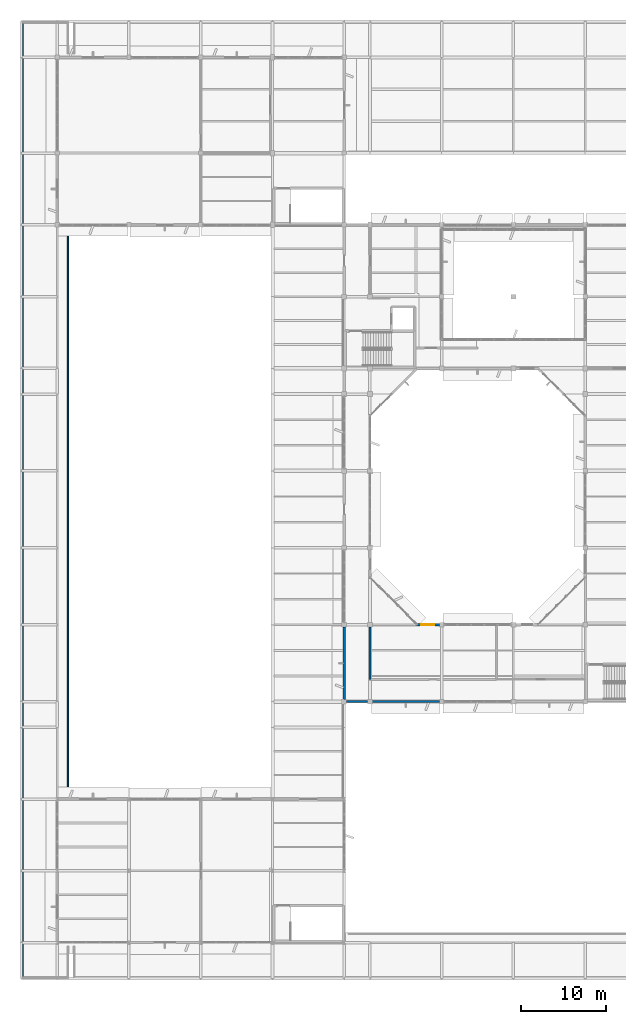
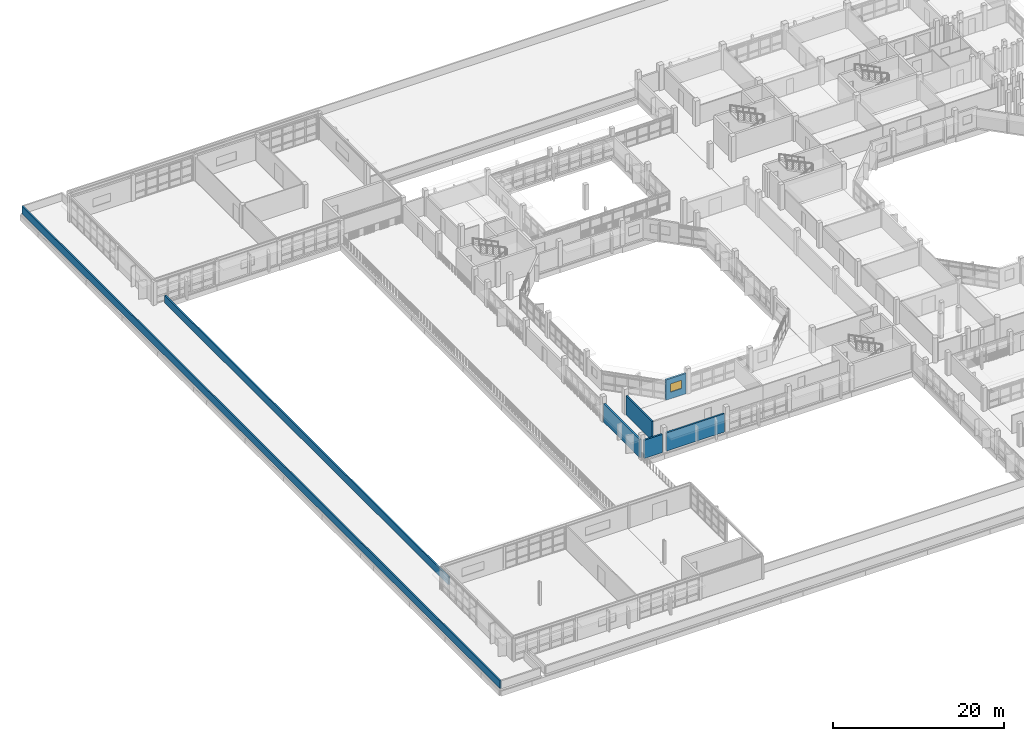
# One storey, part 58 of 92: 7 walls, 1 window, 1 opening.
"""IFC4 building model written with IfcOpenShell, lengths in metres."""

from ifc_helpers import new_model, si_unit, direction, frame, frame_2d, origin, place, context, subcontext, project, spatial, rectangle, extrude, material, layer, layer_set, type_object, element, fill, save


model = new_model("IFC4")

# Units and contexts
model_context = context("Model", 3, precision=1e-05, world=origin(), true_north=direction((0.0, 1.0)))
body_context = subcontext(model_context, "Body", "Model", "MODEL_VIEW")
ifc_project = project(units=[si_unit("LENGTHUNIT", "METRE"), si_unit("AREAUNIT", "SQUARE_METRE"), si_unit("VOLUMEUNIT", "CUBIC_METRE"), si_unit("PLANEANGLEUNIT", "RADIAN"), si_unit("MASSUNIT", "GRAM", prefix="KILO")], contexts=[model_context])

# Site, building, storey
site_placement = place(None, origin())
site = spatial("IfcSite", under=ifc_project, at=site_placement, CompositionType="ELEMENT")
building_placement = place(site_placement, origin())
building = spatial("IfcBuilding", under=site, at=building_placement, Name="Vanh Quang Courtyard School", CompositionType="ELEMENT")
storey_placement = place(building_placement, frame((0.0, 0.0, 7.800048828125)))
storey = spatial("IfcBuildingStorey", under=building, at=storey_placement, Name="L02", CompositionType="ELEMENT", Elevation=7.800048828125)

# Walls
ifc_material_1 = material(Name="Concrete C30/37", Category="concrete")
ifc_layer_1 = layer(ifc_material_1, 0.199951171875)
ifc_layer_set_1 = layer_set([ifc_layer_1], Name="Concrete C30/37")
wall_type_1 = type_object("IfcWallType", Name="W-COMP-200", PredefinedType="PARTITIONING", material=ifc_layer_set_1)
wall_1_placement = place(storey_placement, frame((40.800048828125, 35.0, 0.0), z_axis=(0.0, 0.0, 1.0), x_axis=(0.0, 1.0, 0.0)))
element("IfcWall", 1, at=wall_1_placement, inside=storey, type_object=wall_type_1, Name="Wall W-COMP1 (L02)", PredefinedType="PARTITIONING", context=body_context, shape_type="SweptSolid", body=[
    extrude(rectangle(XDim=6.126953125, YDim=0.199951171875, at=frame_2d((3.0634765625, 0.0))), origin(), (0.0, 0.0, 1.0), 2.699951171875),
])
ifc_material_2 = material(Name="Precast concrete C40/50", Category="concrete")
ifc_layer_2 = layer(ifc_material_2, 0.239990234375)
ifc_layer_set_2 = layer_set([ifc_layer_2], Name="Precast concrete C40/50")
wall_type_2 = type_object("IfcWallType", Name="W-EXT-240", PredefinedType="SOLIDWALL", material=ifc_layer_set_2)
wall_2_placement = place(storey_placement, frame((48.927001953125, 32.39990234375, 0.0), z_axis=(0.0, 0.0, 1.0), x_axis=(-1.0, 0.0, 0.0)))
element("IfcWall", 2, at=wall_2_placement, inside=storey, type_object=wall_type_2, Name="Wall WE-03 (L02)", PredefinedType="SOLIDWALL", context=body_context, shape_type="SweptSolid", body=[
    extrude(rectangle(XDim=7.85400390625, YDim=0.239990234375, at=frame_2d((3.927001953125, 0.0))), origin(), (0.0, 0.0, 1.0), 2.599853515625),
])
wall_3_placement = place(storey_placement, frame((40.527099609375, 32.39990234375, 0.0), z_axis=(0.0, 0.0, 1.0), x_axis=(-1.0, 0.0, 0.0)))
element("IfcWall", 3, at=wall_3_placement, inside=storey, type_object=wall_type_2, Name="Wall WE-03 (L02)", PredefinedType="SOLIDWALL", context=body_context, shape_type="SweptSolid", body=[
    extrude(rectangle(XDim=2.4541015625, YDim=0.239990234375, at=frame_2d((1.22705078125, 0.0))), origin(), (0.0, 0.0, 1.0), 2.599853515625),
])
wall_4_placement = place(storey_placement, frame((37.800048828125, 32.673095703125, 0.0), z_axis=(0.0, 0.0, 1.0), x_axis=(0.0, 1.0, 0.0)))
element("IfcWall", 4, at=wall_4_placement, inside=storey, type_object=wall_type_2, Name="Wall WE-03 (L02)", PredefinedType="SOLIDWALL", context=body_context, shape_type="SweptSolid", body=[
    extrude(rectangle(XDim=8.453857421875, YDim=0.239990234375, at=frame_2d((4.22705078125, 0.0))), origin(), (0.0, 0.0, 1.0), 2.599853515625),
])

# Wall, opening, window
wall_5_placement = place(storey_placement, frame((46.22412109375, 41.39990234375, 0.0), z_axis=(0.0, 0.0, 1.0), x_axis=(1.0, 0.0, 0.0)))
wall_5 = element("IfcWall", 5, at=wall_5_placement, inside=storey, type_object=wall_type_2, Name="Wall WE-03 (L02)", PredefinedType="SOLIDWALL", context=body_context, shape_type="SweptSolid", body=[
    extrude(rectangle(XDim=2.702880859375, YDim=0.239990234375, at=frame_2d((1.3515625, 0.0))), origin(), (0.0, 0.0, 1.0), 2.909912109375),
])
opening_placement = place(wall_5_placement, frame((0.6015625, 0.0, 0.949951171875)))
opening = element("IfcOpeningElement", 6, at=opening_placement, cuts=wall_5, Name="Opening WN-02", PredefinedType="OPENING", context=body_context, shape_type="SweptSolid", body=[
    extrude(rectangle(XDim=1.5, YDim=1.199951171875, at=frame_2d((0.75, 0.60009765625))), frame((0.0, 0.1298828125, 0.0), z_axis=(0.0, -1.0, 0.0), x_axis=(1.0, 0.0, 0.0)), (0.0, 0.0, 1.0), 0.260009765625),
])
ifc_material_3 = material(Name="Anodised aluminium and low-E double glazing", Category="aluminium")
window_type = type_object("IfcWindowType", Name="WIN-TYP-02", PartitioningType="SINGLE_PANEL", PredefinedType="WINDOW", material=ifc_material_3)
window_placement = place(opening_placement, origin())
window = element("IfcWindow", 7, at=window_placement, inside=storey, type_object=window_type, Name="Window WN-02 (L02)", OverallHeight=1.199951171875, OverallWidth=1.5, PartitioningType="SINGLE_PANEL", PredefinedType="WINDOW", context=body_context, shape_type="SweptSolid", body=[
    extrude(rectangle(XDim=1.5, YDim=1.199951171875, at=frame_2d((0.75, 0.60009765625))), frame((0.0, 0.030029296875, 0.0), z_axis=(0.0, -1.0, 0.0), x_axis=(1.0, 0.0, 0.0)), (0.0, 0.0, 1.0), 0.06005859375),
])
fill(opening, window)

# Walls
ifc_material_4 = material(Name="Concrete C35/45", Category="concrete")
ifc_layer_3 = layer(ifc_material_4, 0.199951171875)
ifc_layer_set_3 = layer_set([ifc_layer_3], Name="Concrete C35/45")
wall_type_3 = type_object("IfcWallType", Name="W-PAR-200", PredefinedType="PARAPET", material=ifc_layer_set_3)
wall_6_placement = place(storey_placement, frame((5.47998046875, 87.75, 0.0), z_axis=(0.0, 0.0, 1.0), x_axis=(0.0, -1.0, 0.0)))
element("IfcWall", 8, at=wall_6_placement, inside=storey, type_object=wall_type_3, Name="Wall WP-01 (L02)", PredefinedType="PARAPET", context=body_context, shape_type="SweptSolid", body=[
    extrude(rectangle(XDim=66.300048828125, YDim=0.199951171875, at=frame_2d((33.14990234375, 0.0))), origin(), (0.0, 0.0, 1.0), 1.099853515625),
])
wall_7_placement = place(storey_placement, frame((0.1201171875, 0.1201171875, 0.0), z_axis=(0.0, 0.0, 1.0), x_axis=(0.0, 1.0, 0.0)))
element("IfcWall", 9, at=wall_7_placement, inside=storey, type_object=wall_type_3, Name="Wall WP-01 (L02)", PredefinedType="PARAPET", context=body_context, shape_type="SweptSolid", body=[
    extrude(rectangle(XDim=111.759765625, YDim=0.199951171875, at=frame_2d((55.8798828125, 0.0))), origin(), (0.0, 0.0, 1.0), 1.099853515625),
])

save(model, "model.ifc")
